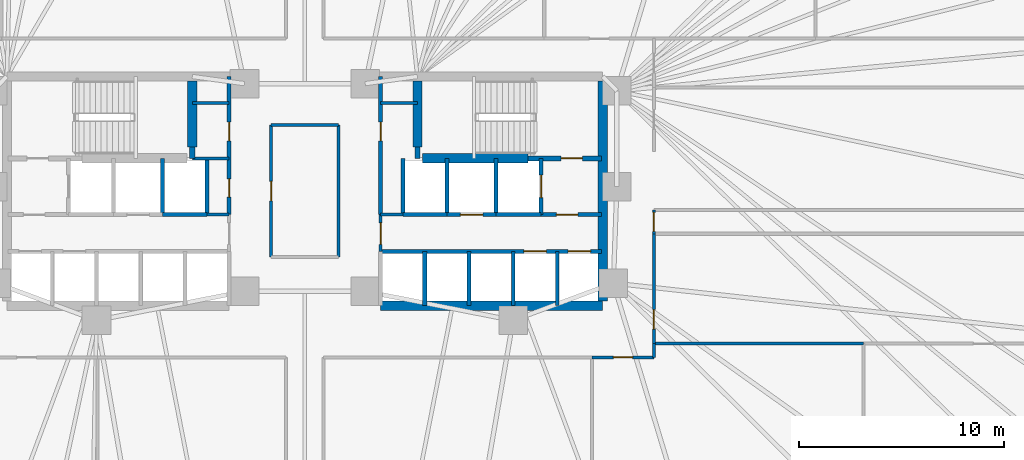
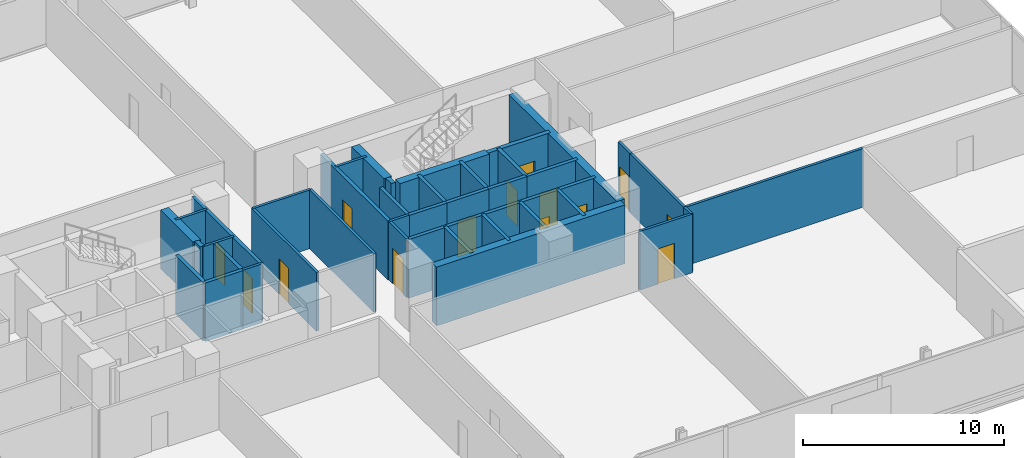
# One storey, part 13 of 17: 40 walls, 14 doors, 14 openings.
"""IFC4 building model written with IfcOpenShell, lengths in metres."""

from ifc_helpers import new_model, si_unit, direction, frame, frame_2d, origin, place, context, subcontext, project, spatial, rectangle, extrude, material, layer, layer_set, type_object, element, fill, save


model = new_model("IFC4")

# Units and contexts
model_context = context("Model", 3, precision=1e-05, world=origin(), true_north=direction((0.0, 1.0)))
body_context = subcontext(model_context, "Body", "Model", "MODEL_VIEW")
ifc_project = project(units=[si_unit("LENGTHUNIT", "METRE"), si_unit("AREAUNIT", "SQUARE_METRE"), si_unit("VOLUMEUNIT", "CUBIC_METRE"), si_unit("PLANEANGLEUNIT", "RADIAN"), si_unit("MASSUNIT", "GRAM", prefix="KILO")], contexts=[model_context])

# Site, building, storey
site_placement = place(None, origin())
site = spatial("IfcSite", under=ifc_project, at=site_placement, CompositionType="ELEMENT")
building_placement = place(site_placement, origin())
building = spatial("IfcBuilding", under=site, at=building_placement, Name="Menara Jurai Vektor", CompositionType="ELEMENT")
storey_placement = place(building_placement, frame((0.0, 0.0, 44.60009765625)))
storey = spatial("IfcBuildingStorey", under=building, at=storey_placement, Name="L10", CompositionType="ELEMENT", Elevation=44.60009765625)

# Wall
ifc_material_1 = material(Name="Concrete C40/50", Category="concrete")
ifc_layer_1 = layer(ifc_material_1, 0.25)
ifc_layer_set_1 = layer_set([ifc_layer_1], Name="Concrete C40/50")
wall_type_1 = type_object("IfcWallType", Name="INT-WALL-CORE-250", PredefinedType="STANDARD", material=ifc_layer_set_1)
wall_1_placement = place(storey_placement, frame((-5.5, 1.60009765625, 0.0), z_axis=(0.0, 0.0, 1.0), x_axis=(0.0, 1.0, 0.0)))
element("IfcWall", 1, at=wall_1_placement, inside=storey, type_object=wall_type_1, Name="Interior Wall IW-250 L10", PredefinedType="STANDARD", context=body_context, shape_type="SweptSolid", body=[
    extrude(rectangle(XDim=0.5498046875, YDim=0.25, at=frame_2d((0.27490234375, 0.0))), origin(), (0.0, 0.0, 1.0), 3.574951171875),
])

# Wall, opening, door
wall_2_placement = place(storey_placement, frame((10.89990234375, 1.60009765625, 0.0), z_axis=(0.0, 0.0, 1.0), x_axis=(1.0, 0.0, 0.0)))
wall_2 = element("IfcWall", 2, at=wall_2_placement, inside=storey, type_object=wall_type_1, Name="Interior Wall IW-250 L10", PredefinedType="STANDARD", context=body_context, shape_type="SweptSolid", body=[
    extrude(rectangle(XDim=3.60009765625, YDim=0.25, at=frame_2d((1.800048828125, 0.0))), origin(), (0.0, 0.0, 1.0), 3.574951171875),
])
opening_1_placement = place(wall_2_placement, frame((1.6201171875, 0.0, 0.0)))
opening_1 = element("IfcOpeningElement", 3, at=opening_1_placement, cuts=wall_2, Name="Opening D-L10-ST2", PredefinedType="OPENING", context=body_context, shape_type="SweptSolid", body=[
    extrude(rectangle(XDim=1.050048828125, YDim=2.14990234375, at=frame_2d((0.52490234375, 1.074951171875))), frame((0.0, 0.135009765625, 0.0), z_axis=(0.0, -1.0, 0.0), x_axis=(1.0, 0.0, 0.0)), (0.0, 0.0, 1.0), 0.27001953125),
])
ifc_material_2 = material(Name="Fire-Rated Steel Door", Category="steel")
door_type_1 = type_object("IfcDoorType", Name="DR-STAIR-1050", OperationType="NOTDEFINED", PredefinedType="DOOR", material=ifc_material_2)
door_1_placement = place(opening_1_placement, origin())
door_1 = element("IfcDoor", 4, at=door_1_placement, inside=storey, type_object=door_type_1, Name="Exit Stair ST2 Door L10", OperationType="SINGLE_SWING_LEFT", OverallHeight=2.14990234375, OverallWidth=1.050048828125, PredefinedType="DOOR", context=body_context, shape_type="SweptSolid", body=[
    extrude(rectangle(XDim=1.050048828125, YDim=2.14990234375, at=frame_2d((0.52490234375, 1.074951171875))), frame((0.0, 0.02490234375, 0.0), z_axis=(0.0, -1.0, 0.0), x_axis=(1.0, 0.0, 0.0)), (0.0, 0.0, 1.0), 0.050048828125),
])
fill(opening_1, door_1)

# Wall
wall_3_placement = place(storey_placement, frame((5.5, 1.60009765625, 0.0), z_axis=(0.0, 0.0, 1.0), x_axis=(0.0, 1.0, 0.0)))
element("IfcWall", 5, at=wall_3_placement, inside=storey, type_object=wall_type_1, Name="Interior Wall IW-250 L10", PredefinedType="STANDARD", context=body_context, shape_type="SweptSolid", body=[
    extrude(rectangle(XDim=0.5498046875, YDim=0.25, at=frame_2d((0.27490234375, 0.0))), origin(), (0.0, 0.0, 1.0), 3.574951171875),
])

# Wall, opening, door
wall_4_placement = place(storey_placement, frame((11.550048828125, -1.14990234375, 0.0), z_axis=(0.0, 0.0, 1.0), x_axis=(0.0, 1.0, 0.0)))
wall_4 = element("IfcWall", 6, at=wall_4_placement, inside=storey, type_object=wall_type_1, Name="Interior Wall IW-250 L10", PredefinedType="STANDARD", context=body_context, shape_type="SweptSolid", body=[
    extrude(rectangle(XDim=2.75, YDim=0.199951171875, at=frame_2d((1.375, 0.0))), origin(), (0.0, 0.0, 1.0), 3.574951171875),
])
opening_2_placement = place(wall_4_placement, frame((0.824951171875, 0.0, 0.0)))
opening_2 = element("IfcOpeningElement", 7, at=opening_2_placement, cuts=wall_4, Name="Opening LD-L10-FL2", PredefinedType="OPENING", context=body_context, shape_type="SweptSolid", body=[
    extrude(rectangle(XDim=1.10009765625, YDim=2.14990234375, at=frame_2d((0.550048828125, 1.074951171875))), frame((0.0, 0.10986328125, 0.0), z_axis=(0.0, -1.0, 0.0), x_axis=(1.0, 0.0, 0.0)), (0.0, 0.0, 1.0), 0.219970703125),
])
ifc_material_3 = material(Name="Stainless Steel Sliding Lift Landing Door", Category="steel")
door_type_2 = type_object("IfcDoorType", Name="DR-LIFT-FIRE-1100", OperationType="NOTDEFINED", PredefinedType="DOOR", material=ifc_material_3)
door_2_placement = place(opening_2_placement, origin())
door_2 = element("IfcDoor", 8, at=door_2_placement, inside=storey, type_object=door_type_2, Name="Lift Landing Door FL2 L10", OperationType="SLIDING_TO_RIGHT", OverallHeight=2.14990234375, OverallWidth=1.10009765625, PredefinedType="DOOR", context=body_context, shape_type="SweptSolid", body=[
    extrude(rectangle(XDim=1.10009765625, YDim=2.14990234375, at=frame_2d((0.550048828125, 1.074951171875))), frame((0.0, 0.02490234375, 0.0), z_axis=(0.0, -1.0, 0.0), x_axis=(1.0, 0.0, 0.0)), (0.0, 0.0, 1.0), 0.050048828125),
])
fill(opening_2, door_2)

# Wall
wall_5_placement = place(storey_placement, frame((9.35009765625, -1.14990234375, 0.0), z_axis=(0.0, 0.0, 1.0), x_axis=(0.0, 1.0, 0.0)))
element("IfcWall", 9, at=wall_5_placement, inside=storey, type_object=wall_type_1, Name="Interior Wall IW-250 L10", PredefinedType="STANDARD", context=body_context, shape_type="SweptSolid", body=[
    extrude(rectangle(XDim=2.75, YDim=0.199951171875, at=frame_2d((1.375, 0.0))), origin(), (0.0, 0.0, 1.0), 3.574951171875),
])

# Wall, opening, door
wall_6_placement = place(storey_placement, frame((11.550048828125, -1.14990234375, 0.0), z_axis=(0.0, 0.0, 1.0), x_axis=(1.0, 0.0, 0.0)))
wall_6 = element("IfcWall", 10, at=wall_6_placement, inside=storey, type_object=wall_type_1, Name="Interior Wall IW-250 L10", PredefinedType="STANDARD", context=body_context, shape_type="SweptSolid", body=[
    extrude(rectangle(XDim=2.949951171875, YDim=0.199951171875, at=frame_2d((1.47509765625, 0.0))), origin(), (0.0, 0.0, 1.0), 3.574951171875),
])
opening_3_placement = place(wall_6_placement, frame((0.75, 0.0, 0.0)))
opening_3 = element("IfcOpeningElement", 11, at=opening_3_placement, cuts=wall_6, Name="Opening D-L10-FFE", PredefinedType="OPENING", context=body_context, shape_type="SweptSolid", body=[
    extrude(rectangle(XDim=1.050048828125, YDim=2.179931640625, at=frame_2d((0.52490234375, 1.08984375))), frame((0.0, 0.10986328125, 0.0), z_axis=(0.0, -1.0, 0.0), x_axis=(1.0, 0.0, 0.0)), (0.0, 0.0, 1.0), 0.219970703125),
])
ifc_material_4 = material(Name="Fire-Rated Timber Door", Category="wood")
door_type_3 = type_object("IfcDoorType", Name="DR-LOBBY-1050", OperationType="NOTDEFINED", PredefinedType="DOOR", material=ifc_material_4)
door_3_placement = place(opening_3_placement, origin())
door_3 = element("IfcDoor", 12, at=door_3_placement, inside=storey, type_object=door_type_3, Name="Fire Lift Lobby Door E L10", OperationType="SINGLE_SWING_LEFT", OverallHeight=2.179931640625, OverallWidth=1.050048828125, PredefinedType="DOOR", context=body_context, shape_type="SweptSolid", body=[
    extrude(rectangle(XDim=1.050048828125, YDim=2.179931640625, at=frame_2d((0.52490234375, 1.08984375))), frame((0.0, 0.02490234375, 0.0), z_axis=(0.0, -1.0, 0.0), x_axis=(1.0, 0.0, 0.0)), (0.0, 0.0, 1.0), 0.050048828125),
])
fill(opening_3, door_3)

# Walls
wall_7_placement = place(storey_placement, frame((9.35009765625, -1.14990234375, 0.0), z_axis=(0.0, 0.0, 1.0), x_axis=(1.0, 0.0, 0.0)))
element("IfcWall", 13, at=wall_7_placement, inside=storey, type_object=wall_type_1, Name="Interior Wall IW-250 L10", PredefinedType="STANDARD", context=body_context, shape_type="SweptSolid", body=[
    extrude(rectangle(XDim=2.199951171875, YDim=0.199951171875, at=frame_2d((1.10009765625, 0.0))), origin(), (0.0, 0.0, 1.0), 3.574951171875),
])
ifc_material_5 = material(Name="Gypsum Fireboard Partition", Category="gypsum")
ifc_layer_2 = layer(ifc_material_5, 0.14990234375)
ifc_layer_set_2 = layer_set([ifc_layer_2], Name="Gypsum Fireboard Partition")
wall_type_2 = type_object("IfcWallType", Name="INT-WALL-CORR-150", PredefinedType="PARTITIONING", material=ifc_layer_set_2)
wall_8_placement = place(storey_placement, frame((-4.7900390625, -1.14990234375, 0.0), z_axis=(0.0, 0.0, 1.0), x_axis=(1.0, 0.0, 0.0)))
element("IfcWall", 14, at=wall_8_placement, inside=storey, type_object=wall_type_2, Name="Interior Wall IW-150 L10", PredefinedType="PARTITIONING", context=body_context, shape_type="SweptSolid", body=[
    extrude(rectangle(XDim=1.090087890625, YDim=0.14990234375, at=frame_2d((0.544921875, 0.0))), origin(), (0.0, 0.0, 1.0), 3.574951171875),
])

# Wall, opening, door
wall_9_placement = place(storey_placement, frame((3.699951171875, -2.949951171875, 0.0), z_axis=(0.0, 0.0, 1.0), x_axis=(0.0, 1.0, 0.0)))
wall_9 = element("IfcWall", 15, at=wall_9_placement, inside=storey, type_object=wall_type_2, Name="Interior Wall IW-150 L10", PredefinedType="PARTITIONING", context=body_context, shape_type="SweptSolid", body=[
    extrude(rectangle(XDim=1.800048828125, YDim=0.14990234375, at=frame_2d((0.89990234375, 0.0))), origin(), (0.0, 0.0, 1.0), 3.574951171875),
])
opening_4_placement = place(wall_9_placement, frame((0.35009765625, 0.0, 0.0)))
opening_4 = element("IfcOpeningElement", 16, at=opening_4_placement, cuts=wall_9, Name="Opening D-L10-LLE", PredefinedType="OPENING", context=body_context, shape_type="SweptSolid", body=[
    extrude(rectangle(XDim=1.050048828125, YDim=2.179931640625, at=frame_2d((0.52490234375, 1.08984375))), frame((0.0, 0.0849609375, 0.0), z_axis=(0.0, -1.0, 0.0), x_axis=(1.0, 0.0, 0.0)), (0.0, 0.0, 1.0), 0.169921875),
])
door_4_placement = place(opening_4_placement, frame((1.050048828125, 0.0, 0.0), z_axis=(0.0, 0.0, 1.0), x_axis=(-1.0, 0.0, 0.0)))
door_4 = element("IfcDoor", 17, at=door_4_placement, inside=storey, type_object=door_type_3, Name="Lift Lobby Corridor Door E L10", OperationType="SINGLE_SWING_RIGHT", OverallHeight=2.179931640625, OverallWidth=1.050048828125, PredefinedType="DOOR", context=body_context, shape_type="SweptSolid", body=[
    extrude(rectangle(XDim=1.050048828125, YDim=2.179931640625, at=frame_2d((0.52490234375, 1.08984375))), frame((0.0, 0.02490234375, 0.0), z_axis=(0.0, -1.0, 0.0), x_axis=(1.0, 0.0, 0.0)), (0.0, 0.0, 1.0), 0.050048828125),
])
fill(opening_4, door_4)

# Walls
wall_10_placement = place(storey_placement, frame((3.699951171875, -1.14990234375, 0.0), z_axis=(0.0, 0.0, 1.0), x_axis=(1.0, 0.0, 0.0)))
element("IfcWall", 18, at=wall_10_placement, inside=storey, type_object=wall_type_2, Name="Interior Wall IW-150 L10", PredefinedType="PARTITIONING", context=body_context, shape_type="SweptSolid", body=[
    extrude(rectangle(XDim=1.090087890625, YDim=0.14990234375, at=frame_2d((0.544921875, 0.0))), origin(), (0.0, 0.0, 1.0), 3.574951171875),
])
for number, where, z_axis, x_axis, name in (
    (19, (-5.5, 4.300048828125, 0.0), (0.0, 0.0, 1.0), (1.0, 0.0, 0.0), "Interior Wall IW-150 L10"),
    (20, (-5.5, 1.60009765625, 0.0), (0.0, 0.0, 1.0), (1.0, 0.0, 0.0), "Interior Wall IW-150 L10"),
    (21, (3.699951171875, 4.300048828125, 0.0), (0.0, 0.0, 1.0), (1.0, 0.0, 0.0), "Interior Wall IW-150 L10"),
):
    element("IfcWall", number, at=place(storey_placement, frame(where, z_axis=z_axis, x_axis=x_axis)), inside=storey, type_object=wall_type_2, Name=name, PredefinedType="PARTITIONING", context=body_context, shape_type="SweptSolid", body=[
        extrude(rectangle(XDim=1.800048828125, YDim=0.14990234375, at=frame_2d((0.89990234375, 0.0))), origin(), (0.0, 0.0, 1.0), 3.574951171875),
    ])

# Wall, opening, door
wall_11_placement = place(storey_placement, frame((-1.64990234375, -3.22998046875, 0.0), z_axis=(0.0, 0.0, 1.0), x_axis=(0.0, 1.0, 0.0)))
wall_11 = element("IfcWall", 22, at=wall_11_placement, inside=storey, type_object=wall_type_2, Name="Interior Wall IW-150 L10", PredefinedType="PARTITIONING", context=body_context, shape_type="SweptSolid", body=[
    extrude(rectangle(XDim=6.4599609375, YDim=0.14990234375, at=frame_2d((3.22998046875, 0.0))), origin(), (0.0, 0.0, 1.0), 3.574951171875),
])
opening_5_placement = place(wall_11_placement, frame((2.7548828125, 0.0, 0.0)))
opening_5 = element("IfcOpeningElement", 23, at=opening_5_placement, cuts=wall_11, Name="Opening D10-04", PredefinedType="OPENING", context=body_context, shape_type="SweptSolid", body=[
    extrude(rectangle(XDim=0.949951171875, YDim=2.14990234375, at=frame_2d((0.47509765625, 1.074951171875))), frame((0.0, 0.0849609375, 0.0), z_axis=(0.0, -1.0, 0.0), x_axis=(1.0, 0.0, 0.0)), (0.0, 0.0, 1.0), 0.169921875),
])
ifc_material_6 = material(Name="Solid Core Timber Fire Door", Category="wood")
door_type_4 = type_object("IfcDoorType", Name="DR-ENTRY-950", OperationType="NOTDEFINED", PredefinedType="DOOR", material=ifc_material_6)
door_5_placement = place(opening_5_placement, origin())
door_5 = element("IfcDoor", 24, at=door_5_placement, inside=storey, type_object=door_type_4, Name="Interior Door D10-04", OperationType="SINGLE_SWING_LEFT", OverallHeight=2.14990234375, OverallWidth=0.949951171875, PredefinedType="DOOR", context=body_context, shape_type="SweptSolid", body=[
    extrude(rectangle(XDim=0.949951171875, YDim=2.14990234375, at=frame_2d((0.47509765625, 1.074951171875))), frame((0.0, 0.02490234375, 0.0), z_axis=(0.0, -1.0, 0.0), x_axis=(1.0, 0.0, 0.0)), (0.0, 0.0, 1.0), 0.050048828125),
])
fill(opening_5, door_5)

# Walls
wall_12_placement = place(storey_placement, frame((-1.64990234375, 3.22998046875, 0.0), z_axis=(0.0, 0.0, 1.0), x_axis=(1.0, 0.0, 0.0)))
element("IfcWall", 25, at=wall_12_placement, inside=storey, type_object=wall_type_2, Name="Interior Wall IW-150 L10", PredefinedType="PARTITIONING", context=body_context, shape_type="SweptSolid", body=[
    extrude(rectangle(XDim=3.2998046875, YDim=0.14990234375, at=frame_2d((1.64990234375, 0.0))), origin(), (0.0, 0.0, 1.0), 3.574951171875),
])
wall_13_placement = place(storey_placement, frame((1.64990234375, -3.22998046875, 0.0), z_axis=(0.0, 0.0, 1.0), x_axis=(0.0, 1.0, 0.0)))
element("IfcWall", 26, at=wall_13_placement, inside=storey, type_object=wall_type_2, Name="Interior Wall IW-150 L10", PredefinedType="PARTITIONING", context=body_context, shape_type="SweptSolid", body=[
    extrude(rectangle(XDim=6.4599609375, YDim=0.14990234375, at=frame_2d((3.22998046875, 0.0))), origin(), (0.0, 0.0, 1.0), 3.574951171875),
])

# Wall, opening, door
wall_14_placement = place(storey_placement, frame((14.0400390625, -8.1298828125, 0.0), z_axis=(0.0, 0.0, 1.0), x_axis=(1.0, 0.0, 0.0)))
wall_14 = element("IfcWall", 27, at=wall_14_placement, inside=storey, type_object=wall_type_2, Name="Interior Wall IW-150 L10", PredefinedType="PARTITIONING", context=body_context, shape_type="SweptSolid", body=[
    extrude(rectangle(XDim=3.01904296875, YDim=0.14990234375, at=frame_2d((1.509521484375, 0.0))), origin(), (0.0, 0.0, 1.0), 3.574951171875),
])
opening_6_placement = place(wall_14_placement, frame((1.034423828125, 0.0, 0.0)))
opening_6 = element("IfcOpeningElement", 28, at=opening_6_placement, cuts=wall_14, Name="Opening D10-12", PredefinedType="OPENING", context=body_context, shape_type="SweptSolid", body=[
    extrude(rectangle(XDim=0.949951171875, YDim=2.14990234375, at=frame_2d((0.47509765625, 1.074951171875))), frame((0.0, 0.0849609375, 0.0), z_axis=(0.0, -1.0, 0.0), x_axis=(1.0, 0.0, 0.0)), (0.0, 0.0, 1.0), 0.169921875),
])
door_6_placement = place(opening_6_placement, origin())
door_6 = element("IfcDoor", 29, at=door_6_placement, inside=storey, type_object=door_type_4, Name="Interior Door D10-12", OperationType="SINGLE_SWING_LEFT", OverallHeight=2.14990234375, OverallWidth=0.949951171875, PredefinedType="DOOR", context=body_context, shape_type="SweptSolid", body=[
    extrude(rectangle(XDim=0.949951171875, YDim=2.14990234375, at=frame_2d((0.47509765625, 1.074951171875))), frame((0.0, 0.02490234375, 0.0), z_axis=(0.0, -1.0, 0.0), x_axis=(1.0, 0.0, 0.0)), (0.0, 0.0, 1.0), 0.050048828125),
])
fill(opening_6, door_6)

# Wall
wall_15_placement = place(storey_placement, frame((17.05908203125, -8.1298828125, 0.0), z_axis=(0.0, 0.0, 1.0), x_axis=(0.0, 1.0, 0.0)))
element("IfcWall", 30, at=wall_15_placement, inside=storey, type_object=wall_type_2, Name="Interior Wall IW-150 L10", PredefinedType="PARTITIONING", context=body_context, shape_type="SweptSolid", body=[
    extrude(rectangle(XDim=0.679931640625, YDim=0.14990234375, at=frame_2d((0.33984375, 0.0))), origin(), (0.0, 0.0, 1.0), 3.574951171875),
])

# Wall, opening, door
wall_16_placement = place(storey_placement, frame((17.05908203125, -7.449951171875, 0.0), z_axis=(0.0, 0.0, 1.0), x_axis=(0.0, 1.0, 0.0)))
wall_16 = element("IfcWall", 31, at=wall_16_placement, inside=storey, type_object=wall_type_2, Name="Interior Wall IW-150 L10", PredefinedType="PARTITIONING", context=body_context, shape_type="SweptSolid", body=[
    extrude(rectangle(XDim=5.364013671875, YDim=0.14990234375, at=frame_2d((2.68212890625, 0.0))), origin(), (0.0, 0.0, 1.0), 3.574951171875),
])
opening_7_placement = place(wall_16_placement, frame((0.705078125, 0.0, 0.0)))
opening_7 = element("IfcOpeningElement", 32, at=opening_7_placement, cuts=wall_16, Name="Opening D10-16", PredefinedType="OPENING", context=body_context, shape_type="SweptSolid", body=[
    extrude(rectangle(XDim=0.949951171875, YDim=2.14990234375, at=frame_2d((0.47509765625, 1.074951171875))), frame((0.0, 0.0849609375, 0.0), z_axis=(0.0, -1.0, 0.0), x_axis=(1.0, 0.0, 0.0)), (0.0, 0.0, 1.0), 0.169921875),
])
door_7_placement = place(opening_7_placement, origin())
door_7 = element("IfcDoor", 33, at=door_7_placement, inside=storey, type_object=door_type_4, Name="Interior Door D10-16", OperationType="SINGLE_SWING_LEFT", OverallHeight=2.14990234375, OverallWidth=0.949951171875, PredefinedType="DOOR", context=body_context, shape_type="SweptSolid", body=[
    extrude(rectangle(XDim=0.949951171875, YDim=2.14990234375, at=frame_2d((0.47509765625, 1.074951171875))), frame((0.0, 0.02490234375, 0.0), z_axis=(0.0, -1.0, 0.0), x_axis=(1.0, 0.0, 0.0)), (0.0, 0.0, 1.0), 0.050048828125),
])
fill(opening_7, door_7)

wall_17_placement = place(storey_placement, frame((17.05908203125, -2.0859375, 0.0), z_axis=(0.0, 0.0, 1.0), x_axis=(0.0, 1.0, 0.0)))
wall_17 = element("IfcWall", 34, at=wall_17_placement, inside=storey, type_object=wall_type_2, Name="Interior Wall IW-150 L10", PredefinedType="PARTITIONING", context=body_context, shape_type="SweptSolid", body=[
    extrude(rectangle(XDim=1.166015625, YDim=0.14990234375, at=frame_2d((0.5830078125, 0.0))), origin(), (0.0, 0.0, 1.0), 3.574951171875),
])
opening_8_placement = place(wall_17_placement, frame((0.1201171875, 0.0, 0.0)))
opening_8 = element("IfcOpeningElement", 35, at=opening_8_placement, cuts=wall_17, Name="Opening D10-17", PredefinedType="OPENING", context=body_context, shape_type="SweptSolid", body=[
    extrude(rectangle(XDim=0.926025390625, YDim=2.14990234375, at=frame_2d((0.462890625, 1.074951171875))), frame((0.0, 0.0849609375, 0.0), z_axis=(0.0, -1.0, 0.0), x_axis=(1.0, 0.0, 0.0)), (0.0, 0.0, 1.0), 0.169921875),
])
door_8_placement = place(opening_8_placement, origin())
door_8 = element("IfcDoor", 36, at=door_8_placement, inside=storey, type_object=door_type_4, Name="Interior Door D10-17", OperationType="SINGLE_SWING_RIGHT", OverallHeight=2.14990234375, OverallWidth=0.926025390625, PredefinedType="DOOR", context=body_context, shape_type="SweptSolid", body=[
    extrude(rectangle(XDim=0.926025390625, YDim=2.14990234375, at=frame_2d((0.462890625, 1.074951171875))), frame((0.0, 0.02490234375, 0.0), z_axis=(0.0, -1.0, 0.0), x_axis=(1.0, 0.0, 0.0)), (0.0, 0.0, 1.0), 0.050048828125),
])
fill(opening_8, door_8)

# Wall
wall_18_placement = place(storey_placement, frame((17.05908203125, -7.449951171875, 0.0), z_axis=(0.0, 0.0, 1.0), x_axis=(1.0, 0.0, 0.0)))
element("IfcWall", 37, at=wall_18_placement, inside=storey, type_object=wall_type_2, Name="Interior Wall IW-150 L10", PredefinedType="PARTITIONING", context=body_context, shape_type="SweptSolid", body=[
    extrude(rectangle(XDim=10.240966796875, YDim=0.14990234375, at=frame_2d((5.12060546875, 0.0))), origin(), (0.0, 0.0, 1.0), 3.574951171875),
])

# Wall, openings, doors
ifc_layer_3 = layer(ifc_material_1, 0.199951171875)
ifc_layer_set_3 = layer_set([ifc_layer_3], Name="Concrete C40/50")
wall_type_3 = type_object("IfcWallType", Name="INT-WALL-SHAFT-200", PredefinedType="STANDARD", material=ifc_layer_set_3)
wall_19_placement = place(storey_placement, frame((-3.699951171875, -1.14990234375, 0.0), z_axis=(0.0, 0.0, 1.0), x_axis=(0.0, 1.0, 0.0)))
wall_19 = element("IfcWall", 38, at=wall_19_placement, inside=storey, type_object=wall_type_3, Name="Interior Wall IW-200 L10", PredefinedType="STANDARD", context=body_context, shape_type="SweptSolid", body=[
    extrude(rectangle(XDim=6.75, YDim=0.199951171875, at=frame_2d((3.375, 0.0))), origin(), (0.0, 0.0, 1.0), 3.574951171875),
])
opening_9_placement = place(wall_19_placement, frame((3.60009765625, 0.0, 0.0)))
opening_9 = element("IfcOpeningElement", 39, at=opening_9_placement, cuts=wall_19, Name="Opening D10-01", PredefinedType="OPENING", context=body_context, shape_type="SweptSolid", body=[
    extrude(rectangle(XDim=0.919921875, YDim=2.14990234375, at=frame_2d((0.4599609375, 1.074951171875))), frame((0.0, 0.10986328125, 0.0), z_axis=(0.0, -1.0, 0.0), x_axis=(1.0, 0.0, 0.0)), (0.0, 0.0, 1.0), 0.219970703125),
])
opening_10_placement = place(wall_19_placement, frame((0.85009765625, 0.0, 0.0)))
opening_10 = element("IfcOpeningElement", 40, at=opening_10_placement, cuts=wall_19, Name="Opening D10-02", PredefinedType="OPENING", context=body_context, shape_type="SweptSolid", body=[
    extrude(rectangle(XDim=0.89990234375, YDim=2.14990234375, at=frame_2d((0.449951171875, 1.074951171875))), frame((0.0, 0.10986328125, 0.0), z_axis=(0.0, -1.0, 0.0), x_axis=(1.0, 0.0, 0.0)), (0.0, 0.0, 1.0), 0.219970703125),
])
door_9_placement = place(opening_9_placement, origin())
door_9 = element("IfcDoor", 41, at=door_9_placement, inside=storey, type_object=door_type_4, Name="Interior Door D10-01", OperationType="SINGLE_SWING_LEFT", OverallHeight=2.14990234375, OverallWidth=0.919921875, PredefinedType="DOOR", context=body_context, shape_type="SweptSolid", body=[
    extrude(rectangle(XDim=0.919921875, YDim=2.14990234375, at=frame_2d((0.4599609375, 1.074951171875))), frame((0.0, 0.02490234375, 0.0), z_axis=(0.0, -1.0, 0.0), x_axis=(1.0, 0.0, 0.0)), (0.0, 0.0, 1.0), 0.050048828125),
])
fill(opening_9, door_9)
door_10_placement = place(opening_10_placement, origin())
door_10 = element("IfcDoor", 42, at=door_10_placement, inside=storey, type_object=door_type_4, Name="Interior Door D10-02", OperationType="SINGLE_SWING_LEFT", OverallHeight=2.14990234375, OverallWidth=0.89990234375, PredefinedType="DOOR", context=body_context, shape_type="SweptSolid", body=[
    extrude(rectangle(XDim=0.89990234375, YDim=2.14990234375, at=frame_2d((0.449951171875, 1.074951171875))), frame((0.0, 0.02490234375, 0.0), z_axis=(0.0, -1.0, 0.0), x_axis=(1.0, 0.0, 0.0)), (0.0, 0.0, 1.0), 0.050048828125),
])
fill(opening_10, door_10)

# Walls
for number, where, z_axis, x_axis, name in (
    (43, (-6.949951171875, -1.14990234375, 0.0), (0.0, 0.0, 1.0), (0.0, 1.0, 0.0), "Interior Wall IW-200 L10"),
    (44, (-4.7900390625, -1.14990234375, 0.0), (0.0, 0.0, 1.0), (0.0, 1.0, 0.0), "Interior Wall IW-200 L10"),
):
    element("IfcWall", number, at=place(storey_placement, frame(where, z_axis=z_axis, x_axis=x_axis)), inside=storey, type_object=wall_type_3, Name=name, PredefinedType="STANDARD", context=body_context, shape_type="SweptSolid", body=[
        extrude(rectangle(XDim=2.75, YDim=0.199951171875, at=frame_2d((1.375, 0.0))), origin(), (0.0, 0.0, 1.0), 3.574951171875),
    ])
wall_20_placement = place(storey_placement, frame((-6.949951171875, -1.14990234375, 0.0), z_axis=(0.0, 0.0, 1.0), x_axis=(1.0, 0.0, 0.0)))
element("IfcWall", 45, at=wall_20_placement, inside=storey, type_object=wall_type_3, Name="Interior Wall IW-200 L10", PredefinedType="STANDARD", context=body_context, shape_type="SweptSolid", body=[
    extrude(rectangle(XDim=2.159912109375, YDim=0.199951171875, at=frame_2d((1.080078125, 0.0))), origin(), (0.0, 0.0, 1.0), 3.574951171875),
])

# Wall, opening, door
wall_21_placement = place(storey_placement, frame((3.699951171875, -1.14990234375, 0.0), z_axis=(0.0, 0.0, 1.0), x_axis=(0.0, 1.0, 0.0)))
wall_21 = element("IfcWall", 46, at=wall_21_placement, inside=storey, type_object=wall_type_3, Name="Interior Wall IW-200 L10", PredefinedType="STANDARD", context=body_context, shape_type="SweptSolid", body=[
    extrude(rectangle(XDim=6.75, YDim=0.199951171875, at=frame_2d((3.375, 0.0))), origin(), (0.0, 0.0, 1.0), 3.574951171875),
])
opening_11_placement = place(wall_21_placement, frame((3.60009765625, 0.0, 0.0)))
opening_11 = element("IfcOpeningElement", 47, at=opening_11_placement, cuts=wall_21, Name="Opening D10-03", PredefinedType="OPENING", context=body_context, shape_type="SweptSolid", body=[
    extrude(rectangle(XDim=0.919921875, YDim=2.14990234375, at=frame_2d((0.4599609375, 1.074951171875))), frame((0.0, 0.10986328125, 0.0), z_axis=(0.0, -1.0, 0.0), x_axis=(1.0, 0.0, 0.0)), (0.0, 0.0, 1.0), 0.219970703125),
])
door_11_placement = place(opening_11_placement, origin())
door_11 = element("IfcDoor", 48, at=door_11_placement, inside=storey, type_object=door_type_4, Name="Interior Door D10-03", OperationType="SINGLE_SWING_RIGHT", OverallHeight=2.14990234375, OverallWidth=0.919921875, PredefinedType="DOOR", context=body_context, shape_type="SweptSolid", body=[
    extrude(rectangle(XDim=0.919921875, YDim=2.14990234375, at=frame_2d((0.4599609375, 1.074951171875))), frame((0.0, 0.02490234375, 0.0), z_axis=(0.0, -1.0, 0.0), x_axis=(1.0, 0.0, 0.0)), (0.0, 0.0, 1.0), 0.050048828125),
])
fill(opening_11, door_11)

# Wall
wall_22_placement = place(storey_placement, frame((6.949951171875, -1.14990234375, 0.0), z_axis=(0.0, 0.0, 1.0), x_axis=(0.0, 1.0, 0.0)))
element("IfcWall", 49, at=wall_22_placement, inside=storey, type_object=wall_type_3, Name="Interior Wall IW-200 L10", PredefinedType="STANDARD", context=body_context, shape_type="SweptSolid", body=[
    extrude(rectangle(XDim=2.75, YDim=0.199951171875, at=frame_2d((1.375, 0.0))), origin(), (0.0, 0.0, 1.0), 3.574951171875),
])

# Wall, opening, door
wall_23_placement = place(storey_placement, frame((6.949951171875, -1.14990234375, 0.0), z_axis=(0.0, 0.0, 1.0), x_axis=(1.0, 0.0, 0.0)))
wall_23 = element("IfcWall", 50, at=wall_23_placement, inside=storey, type_object=wall_type_3, Name="Interior Wall IW-200 L10", PredefinedType="STANDARD", context=body_context, shape_type="SweptSolid", body=[
    extrude(rectangle(XDim=2.400146484375, YDim=0.199951171875, at=frame_2d((1.2001953125, 0.0))), origin(), (0.0, 0.0, 1.0), 3.574951171875),
])
opening_12_placement = place(wall_23_placement, frame((0.64990234375, 0.0, 0.0)))
opening_12 = element("IfcOpeningElement", 51, at=opening_12_placement, cuts=wall_23, Name="Opening LD-L10-SVL2", PredefinedType="OPENING", context=body_context, shape_type="SweptSolid", body=[
    extrude(rectangle(XDim=1.10009765625, YDim=2.14990234375, at=frame_2d((0.550048828125, 1.074951171875))), frame((0.0, 0.10986328125, 0.0), z_axis=(0.0, -1.0, 0.0), x_axis=(1.0, 0.0, 0.0)), (0.0, 0.0, 1.0), 0.219970703125),
])
ifc_material_7 = material(Name="Anodised Stainless Sliding Lift Landing Door", Category="steel")
door_type_5 = type_object("IfcDoorType", Name="DR-LIFT-PASS-1100", OperationType="NOTDEFINED", PredefinedType="DOOR", material=ifc_material_7)
door_12_placement = place(opening_12_placement, origin())
door_12 = element("IfcDoor", 52, at=door_12_placement, inside=storey, type_object=door_type_5, Name="Lift Landing Door SVL2 L10", OperationType="SLIDING_TO_RIGHT", OverallHeight=2.14990234375, OverallWidth=1.10009765625, PredefinedType="DOOR", context=body_context, shape_type="SweptSolid", body=[
    extrude(rectangle(XDim=1.10009765625, YDim=2.14990234375, at=frame_2d((0.550048828125, 1.074951171875))), frame((0.0, 0.02490234375, 0.0), z_axis=(0.0, -1.0, 0.0), x_axis=(1.0, 0.0, 0.0)), (0.0, 0.0, 1.0), 0.050048828125),
])
fill(opening_12, door_12)

# Walls
wall_24_placement = place(storey_placement, frame((4.7900390625, -1.14990234375, 0.0), z_axis=(0.0, 0.0, 1.0), x_axis=(0.0, 1.0, 0.0)))
element("IfcWall", 53, at=wall_24_placement, inside=storey, type_object=wall_type_3, Name="Interior Wall IW-200 L10", PredefinedType="STANDARD", context=body_context, shape_type="SweptSolid", body=[
    extrude(rectangle(XDim=2.75, YDim=0.199951171875, at=frame_2d((1.375, 0.0))), origin(), (0.0, 0.0, 1.0), 3.574951171875),
])
wall_25_placement = place(storey_placement, frame((4.7900390625, -1.14990234375, 0.0), z_axis=(0.0, 0.0, 1.0), x_axis=(1.0, 0.0, 0.0)))
element("IfcWall", 54, at=wall_25_placement, inside=storey, type_object=wall_type_3, Name="Interior Wall IW-200 L10", PredefinedType="STANDARD", context=body_context, shape_type="SweptSolid", body=[
    extrude(rectangle(XDim=2.159912109375, YDim=0.199951171875, at=frame_2d((1.080078125, 0.0))), origin(), (0.0, 0.0, 1.0), 3.574951171875),
])

# Wall, openings, doors
wall_26_placement = place(storey_placement, frame((3.699951171875, -2.949951171875, 0.0), z_axis=(0.0, 0.0, 1.0), x_axis=(1.0, 0.0, 0.0)))
wall_26 = element("IfcWall", 55, at=wall_26_placement, inside=storey, type_object=wall_type_3, Name="Interior Wall IW-200 L10", PredefinedType="STANDARD", context=body_context, shape_type="SweptSolid", body=[
    extrude(rectangle(XDim=10.800048828125, YDim=0.199951171875, at=frame_2d((5.39990234375, 0.0))), origin(), (0.0, 0.0, 1.0), 3.574951171875),
])
opening_13_placement = place(wall_26_placement, frame((7.010009765625, 0.0, 0.0)))
opening_13 = element("IfcOpeningElement", 56, at=opening_13_placement, cuts=wall_26, Name="Opening LD-L10-PL3", PredefinedType="OPENING", context=body_context, shape_type="SweptSolid", body=[
    extrude(rectangle(XDim=1.10009765625, YDim=2.14990234375, at=frame_2d((0.550048828125, 1.074951171875))), frame((0.0, 0.10986328125, 0.0), z_axis=(0.0, -1.0, 0.0), x_axis=(1.0, 0.0, 0.0)), (0.0, 0.0, 1.0), 0.219970703125),
])
opening_14_placement = place(wall_26_placement, frame((9.169921875, 0.0, 0.0)))
opening_14 = element("IfcOpeningElement", 57, at=opening_14_placement, cuts=wall_26, Name="Opening LD-L10-PL4", PredefinedType="OPENING", context=body_context, shape_type="SweptSolid", body=[
    extrude(rectangle(XDim=1.10009765625, YDim=2.14990234375, at=frame_2d((0.550048828125, 1.074951171875))), frame((0.0, 0.10986328125, 0.0), z_axis=(0.0, -1.0, 0.0), x_axis=(1.0, 0.0, 0.0)), (0.0, 0.0, 1.0), 0.219970703125),
])
door_13_placement = place(opening_13_placement, origin())
door_13 = element("IfcDoor", 58, at=door_13_placement, inside=storey, type_object=door_type_5, Name="Lift Landing Door PL3 L10", OperationType="SLIDING_TO_RIGHT", OverallHeight=2.14990234375, OverallWidth=1.10009765625, PredefinedType="DOOR", context=body_context, shape_type="SweptSolid", body=[
    extrude(rectangle(XDim=1.10009765625, YDim=2.14990234375, at=frame_2d((0.550048828125, 1.074951171875))), frame((0.0, 0.02490234375, 0.0), z_axis=(0.0, -1.0, 0.0), x_axis=(1.0, 0.0, 0.0)), (0.0, 0.0, 1.0), 0.050048828125),
])
fill(opening_13, door_13)
door_14_placement = place(opening_14_placement, origin())
door_14 = element("IfcDoor", 59, at=door_14_placement, inside=storey, type_object=door_type_5, Name="Lift Landing Door PL4 L10", OperationType="SLIDING_TO_LEFT", OverallHeight=2.14990234375, OverallWidth=1.10009765625, PredefinedType="DOOR", context=body_context, shape_type="SweptSolid", body=[
    extrude(rectangle(XDim=1.10009765625, YDim=2.14990234375, at=frame_2d((0.550048828125, 1.074951171875))), frame((0.0, 0.02490234375, 0.0), z_axis=(0.0, -1.0, 0.0), x_axis=(1.0, 0.0, 0.0)), (0.0, 0.0, 1.0), 0.050048828125),
])
fill(opening_14, door_14)

# Walls
wall_27_placement = place(storey_placement, frame((5.860107421875, -5.60009765625, 0.0), z_axis=(0.0, 0.0, 1.0), x_axis=(0.0, 1.0, 0.0)))
element("IfcWall", 60, at=wall_27_placement, inside=storey, type_object=wall_type_3, Name="Interior Wall IW-200 L10", PredefinedType="STANDARD", context=body_context, shape_type="SweptSolid", body=[
    extrude(rectangle(XDim=2.650146484375, YDim=0.199951171875, at=frame_2d((1.3251953125, 0.0))), origin(), (0.0, 0.0, 1.0), 3.574951171875),
])
for number, where, z_axis, x_axis, name in (
    (61, (12.340087890625, -5.60009765625, 0.0), (0.0, 0.0, 1.0), (0.0, 1.0, 0.0), "Interior Wall IW-200 L10"),
    (62, (10.179931640625, -5.60009765625, 0.0), (0.0, 0.0, 1.0), (0.0, 1.0, 0.0), "Interior Wall IW-200 L10"),
    (63, (8.02001953125, -5.60009765625, 0.0), (0.0, 0.0, 1.0), (0.0, 1.0, 0.0), "Interior Wall IW-200 L10"),
):
    element("IfcWall", number, at=place(storey_placement, frame(where, z_axis=z_axis, x_axis=x_axis)), inside=storey, type_object=wall_type_3, Name=name, PredefinedType="STANDARD", context=body_context, shape_type="SweptSolid", body=[
        extrude(rectangle(XDim=2.650146484375, YDim=0.179931640625, at=frame_2d((1.3251953125, 0.0))), origin(), (0.0, 0.0, 1.0), 3.574951171875),
    ])
ifc_material_8 = material(Name="Concrete C60/75", Category="concrete")
ifc_layer_4 = layer(ifc_material_8, 0.449951171875)
ifc_layer_set_4 = layer_set([ifc_layer_4], Name="Concrete C60/75")
wall_type_4 = type_object("IfcWallType", Name="STR-WALL-CORE450", PredefinedType="SHEAR", material=ifc_layer_set_4)
wall_28_placement = place(storey_placement, frame((-5.5, 2.14990234375, 0.0), z_axis=(0.0, 0.0, 1.0), x_axis=(0.0, 1.0, 0.0)))
element("IfcWall", 64, at=wall_28_placement, inside=storey, type_object=wall_type_4, Name="Core Shear Wall CW-W-ST L10", PredefinedType="SHEAR", context=body_context, shape_type="SweptSolid", body=[
    extrude(rectangle(XDim=3.22509765625, YDim=0.449951171875, at=frame_2d((1.612548828125, 0.0))), origin(), (0.0, 0.0, 1.0), 3.574951171875),
])
wall_29_placement = place(storey_placement, frame((3.699951171875, -5.60009765625, 0.0), z_axis=(0.0, 0.0, 1.0), x_axis=(1.0, 0.0, 0.0)))
element("IfcWall", 65, at=wall_29_placement, inside=storey, type_object=wall_type_4, Name="Core Shear Wall CW-E-S L10", PredefinedType="SHEAR", context=body_context, shape_type="SweptSolid", body=[
    extrude(rectangle(XDim=10.860107421875, YDim=0.449951171875, at=frame_2d((5.43017578125, 0.0))), origin(), (0.0, 0.0, 1.0), 3.574951171875),
])
wall_30_placement = place(storey_placement, frame((14.56005859375, -5.375, 0.0), z_axis=(0.0, 0.0, 1.0), x_axis=(0.0, 1.0, 0.0)))
element("IfcWall", 66, at=wall_30_placement, inside=storey, type_object=wall_type_4, Name="Core Shear Wall CW-E-E L10", PredefinedType="SHEAR", context=body_context, shape_type="SweptSolid", body=[
    extrude(rectangle(XDim=10.75, YDim=0.449951171875, at=frame_2d((5.375, 0.0))), origin(), (0.0, 0.0, 1.0), 3.574951171875),
])
wall_31_placement = place(storey_placement, frame((5.5, 2.14990234375, 0.0), z_axis=(0.0, 0.0, 1.0), x_axis=(0.0, 1.0, 0.0)))
element("IfcWall", 67, at=wall_31_placement, inside=storey, type_object=wall_type_4, Name="Core Shear Wall CW-E-ST L10", PredefinedType="SHEAR", context=body_context, shape_type="SweptSolid", body=[
    extrude(rectangle(XDim=3.22509765625, YDim=0.449951171875, at=frame_2d((1.612548828125, 0.0))), origin(), (0.0, 0.0, 1.0), 3.574951171875),
])
wall_32_placement = place(storey_placement, frame((5.75, 1.60009765625, 0.0), z_axis=(0.0, 0.0, 1.0), x_axis=(1.0, 0.0, 0.0)))
element("IfcWall", 68, at=wall_32_placement, inside=storey, type_object=wall_type_4, Name="Core Shear Wall CW-E-STS L10", PredefinedType="SHEAR", context=body_context, shape_type="SweptSolid", body=[
    extrude(rectangle(XDim=5.14990234375, YDim=0.449951171875, at=frame_2d((2.574951171875, 0.0))), origin(), (0.0, 0.0, 1.0), 3.574951171875),
])

save(model, "model.ifc")
